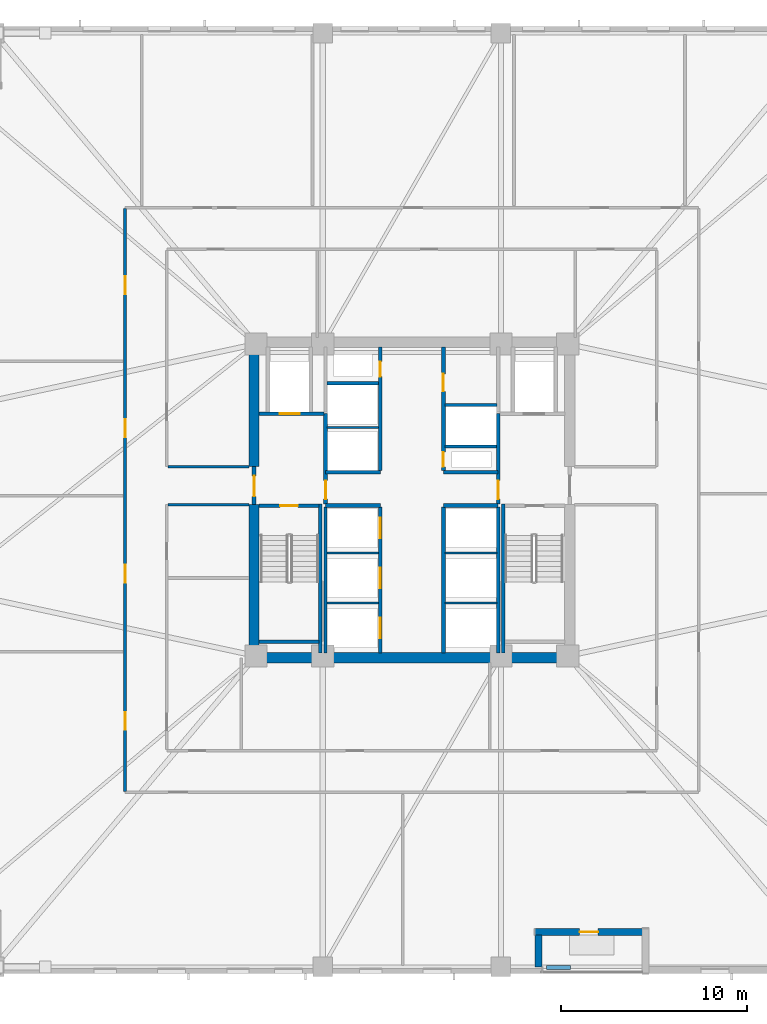
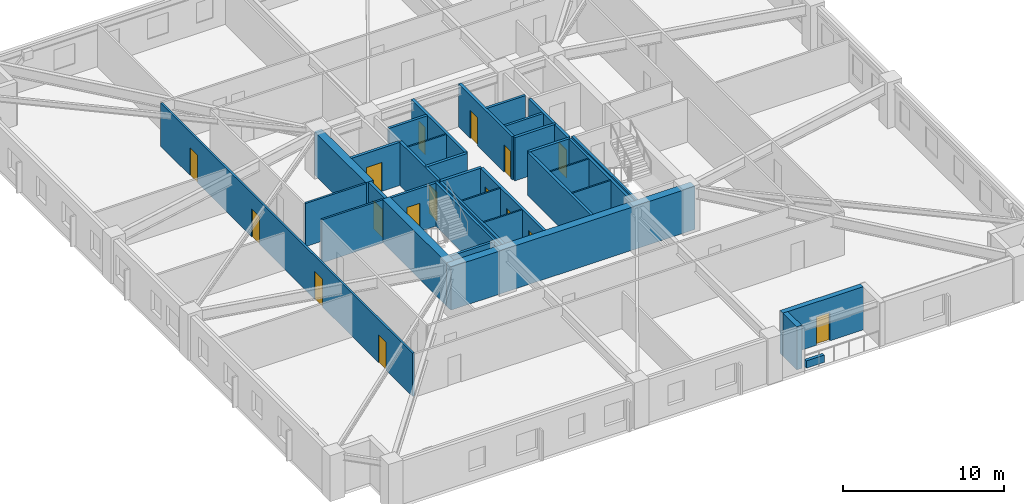
# One storey, part 3 of 11: 35 walls, 16 doors, 16 openings.
"""IFC4 building model written with IfcOpenShell, lengths in metres."""

import ifcopenshell
import ifcopenshell.guid

model = None  # the IFC model being written
_history = None  # IfcOwnerHistory: only IFC2X3 demands one
_inside = {}  # id of a spatial element -> (the spatial element, [elements in it])
_under = {}  # id of a project, library or spatial element -> (it, [spatial elements below it])
_declared = {}  # id of a project -> (the project, [libraries it declares])
_typed = {}  # id of a type object -> (the type object, [elements of that type])
_made_of = {}  # id of a material, layer set ... -> (it, [elements and type objects made of it])


def new_model(schema):
    """Start an empty IFC model of exactly this schema.

    Asked for "IFC4X3", IfcOpenShell would pick the latest addendum, in which some entities
    have other attributes; the version numbers below select the first issue.
    IFC2X3 requires an IfcOwnerHistory on every rooted entity: one is made here for all.
    """
    global model, _history
    if schema == "IFC4X3":
        model = ifcopenshell.file(schema_version=(4, 3, 0, 0))
    else:
        model = ifcopenshell.file(schema=schema)
    _inside.clear()
    _under.clear()
    _declared.clear()
    _typed.clear()
    _made_of.clear()
    _history = None
    if model.schema == "IFC2X3":
        org = make("IfcOrganization", Name="unknown")
        user = make(
            "IfcPersonAndOrganization",
            ThePerson=make("IfcPerson", FamilyName="unknown"),
            TheOrganization=org,
        )
        app = make(
            "IfcApplication",
            ApplicationDeveloper=org,
            Version="unknown",
            ApplicationFullName="unknown",
            ApplicationIdentifier="unknown",
        )
        _history = make(
            "IfcOwnerHistory",
            OwningUser=user,
            OwningApplication=app,
            ChangeAction="ADDED",
            CreationDate=0,
        )
    return model


def make(cls, **values):
    """One entity of the class cls with the attributes given. An attribute that is None is left unset."""
    return model.create_entity(
        cls, **{name: value for name, value in values.items() if value is not None}
    )


def rooted(cls, **values):
    """An entity with a GlobalId (a new one), such as an element, a storey or a relation."""
    return make(cls, GlobalId=ifcopenshell.guid.new(), OwnerHistory=_history, **values)


def si_unit(unit_type, name, prefix=None):
    """IfcSIUnit, for example si_unit("LENGTHUNIT", "METRE", prefix="MILLI")."""
    return make("IfcSIUnit", UnitType=unit_type, Prefix=prefix, Name=name)


def assignment(units):
    """IfcUnitAssignment: the units of a project."""
    return None if units is None else make("IfcUnitAssignment", Units=units)


def point(xyz):
    """IfcCartesianPoint."""
    return None if xyz is None else make("IfcCartesianPoint", Coordinates=xyz)


def direction(xyz):
    """IfcDirection."""
    return None if xyz is None else make("IfcDirection", DirectionRatios=xyz)


def frame(location, z_axis=None, x_axis=None):
    """IfcAxis2Placement3D, a coordinate frame: its origin and axes. An axis left out is left unset."""
    return make(
        "IfcAxis2Placement3D",
        Location=point(location),
        Axis=direction(z_axis),
        RefDirection=direction(x_axis),
    )


def frame_2d(location, x_axis=None):
    """IfcAxis2Placement2D, a coordinate frame in the plane: its origin and x axis."""
    return make(
        "IfcAxis2Placement2D", Location=point(location), RefDirection=direction(x_axis)
    )


def origin():
    """The frame at (0, 0, 0) with its axes left unset."""
    return frame((0.0, 0.0, 0.0))


def place(relative_to, where):
    """IfcLocalPlacement: puts the frame where relative to a parent placement (None: the world)."""
    return make(
        "IfcLocalPlacement", PlacementRelTo=relative_to, RelativePlacement=where
    )


def context(
    kind, dimensions, precision=None, world=None, true_north=None, identifier=None
):
    """IfcGeometricRepresentationContext, for example the 3D "Model" context."""
    return make(
        "IfcGeometricRepresentationContext",
        ContextIdentifier=identifier,
        ContextType=kind,
        CoordinateSpaceDimension=dimensions,
        Precision=precision,
        WorldCoordinateSystem=world,
        TrueNorth=true_north,
    )


def subcontext(parent, identifier, kind, view, scale=None):
    """IfcGeometricRepresentationSubContext, for example "Body" below "Model"."""
    return make(
        "IfcGeometricRepresentationSubContext",
        ContextIdentifier=identifier,
        ContextType=kind,
        ParentContext=parent,
        TargetScale=scale,
        TargetView=view,
    )


def project(units=None, contexts=None):
    """IfcProject with its units and contexts."""
    return rooted(
        "IfcProject",
        Name="project",
        RepresentationContexts=contexts,
        UnitsInContext=assignment(units),
    )


def spatial(cls, under=None, at=None, **own):
    """A site, building, storey or space (cls), placed at a placement, below another one or the project."""
    s = rooted(cls, ObjectPlacement=at, **own)
    if under is not None:
        _under.setdefault(under.id(), (under, []))[1].append(s)
    return s


def profile(cls, at=None, kind="AREA", **sizes):
    """A parametric profile (cls). Its sizes go by their IFC names, for example OverallWidth=200.0."""
    return make(cls, ProfileType=kind, Position=at, **sizes)


def rectangle(**sizes):
    """IfcRectangleProfileDef."""
    return profile("IfcRectangleProfileDef", **sizes)


def extrude(swept, where, along, depth):
    """IfcExtrudedAreaSolid: the profile swept, set in the frame where, extruded along a direction by depth."""
    return make(
        "IfcExtrudedAreaSolid",
        SweptArea=swept,
        Position=where,
        ExtrudedDirection=direction(along),
        Depth=depth,
    )


def shape(context_of_items, identifier, shape_type, items):
    """IfcShapeRepresentation: the items that make up one representation, for example the "Body"."""
    return make(
        "IfcShapeRepresentation",
        ContextOfItems=context_of_items,
        RepresentationIdentifier=identifier,
        RepresentationType=shape_type,
        Items=items,
    )


def material(Name=None, Category=None):
    """IfcMaterial."""
    return make("IfcMaterial", Name=Name, Category=Category)


def layer(
    of_material, thickness, ventilated=None, Name=None, Category=None, Priority=None
):
    """IfcMaterialLayer: one layer of a wall or slab, of a material (None: an air gap)."""
    return make(
        "IfcMaterialLayer",
        Material=of_material,
        LayerThickness=thickness,
        IsVentilated=ventilated,
        Name=Name,
        Category=Category,
        Priority=Priority,
    )


def layer_set(layers, Name=None):
    """IfcMaterialLayerSet."""
    return make("IfcMaterialLayerSet", MaterialLayers=layers, LayerSetName=Name)


def made_of(thing, what):
    """Note that an element or type object is made of a material, layer set ...; save() writes the relation."""
    if what is not None:
        _made_of.setdefault(what.id(), (what, []))[1].append(thing)
    return thing


def type_object(cls, material=None, **own):
    """A type object (cls), such as IfcWallType, which elements share."""
    return made_of(rooted(cls, **own), material)


def element(
    cls,
    number,
    at=None,
    inside=None,
    cuts=None,
    type_object=None,
    material=None,
    context=None,
    identifier="Body",
    shape_type=None,
    held_by="IfcProductDefinitionShape",
    body=None,
    shapes=None,
    **own,
):
    """One element of the class cls, such as IfcWall. Its Tag is "e" and its number.

    at: its placement. inside: the storey or other place that contains it. cuts: it is an
    opening in that element (IfcRelVoidsElement). A single representation is given by context,
    identifier, shape_type and body (its items); several are given by shapes. held_by: the class
    of the entity that holds the representations. save() writes the other relations.
    """
    e = rooted(cls, Tag="e%d" % number, ObjectPlacement=at, **own)
    if body is not None:
        shapes = [shape(context, identifier, shape_type, body)]
    if shapes is not None:
        e.Representation = make(held_by, Representations=shapes)
    if inside is not None:
        _inside.setdefault(inside.id(), (inside, []))[1].append(e)
    if cuts is not None:
        rooted(
            "IfcRelVoidsElement", RelatingBuildingElement=cuts, RelatedOpeningElement=e
        )
    if type_object is not None:
        _typed.setdefault(type_object.id(), (type_object, []))[1].append(e)
    return made_of(e, material)


def fill(opening, filler):
    """IfcRelFillsElement: the door or window that sits in an opening."""
    return rooted(
        "IfcRelFillsElement",
        RelatingOpeningElement=opening,
        RelatedBuildingElement=filler,
    )


def aggregate(whole, parts):
    """IfcRelAggregates: a whole, such as a stair, and the parts it consists of."""
    return rooted("IfcRelAggregates", RelatingObject=whole, RelatedObjects=parts)


def save(model, path):
    """Write the relations noted so far, then the file.

    IfcRelAggregates (storeys below a building ...), IfcRelContainedInSpatialStructure (elements
    in a storey), IfcRelDefinesByType, IfcRelAssociatesMaterial and IfcRelDeclares: one each for
    every whole, place, type object, material and project.
    """
    for whole, parts in _under.values():
        aggregate(whole, parts)
    for where, things in _inside.values():
        rooted(
            "IfcRelContainedInSpatialStructure",
            RelatedElements=things,
            RelatingStructure=where,
        )
    for kind, things in _typed.values():
        rooted("IfcRelDefinesByType", RelatedObjects=things, RelatingType=kind)
    for what, things in _made_of.values():
        rooted("IfcRelAssociatesMaterial", RelatedObjects=things, RelatingMaterial=what)
    for by, libraries in _declared.values():
        rooted("IfcRelDeclares", RelatingContext=by, RelatedDefinitions=libraries)
    model.write(path)


model = new_model("IFC4")

# Units and contexts
model_context = context("Model", 3, precision=1e-05, world=origin(), true_north=direction((0.0, 1.0)))
body_context = subcontext(model_context, "Body", "Model", "MODEL_VIEW")
ifc_project = project(units=[si_unit("LENGTHUNIT", "METRE"), si_unit("AREAUNIT", "SQUARE_METRE"), si_unit("VOLUMEUNIT", "CUBIC_METRE"), si_unit("PLANEANGLEUNIT", "RADIAN"), si_unit("MASSUNIT", "GRAM", prefix="KILO")], contexts=[model_context])

# Site, building, storey
site_placement = place(None, origin())
site = spatial("IfcSite", under=ifc_project, at=site_placement, CompositionType="ELEMENT")
building_placement = place(site_placement, origin())
building = spatial("IfcBuilding", under=site, at=building_placement, Name="Cairnveth Concourse Tower", CompositionType="ELEMENT")
storey_placement = place(building_placement, frame((0.0, 0.0, 51.5)))
storey = spatial("IfcBuildingStorey", under=building, at=storey_placement, Name="L13", CompositionType="ELEMENT", Elevation=51.5)

# Walls
ifc_material_1 = material(Name="Concrete N80 (80 MPa)", Category="concrete")
ifc_layer_1 = layer(ifc_material_1, 0.550048828125)
ifc_layer_set_1 = layer_set([ifc_layer_1], Name="Concrete N80 (80 MPa)")
wall_type_1 = type_object("IfcWallType", Name="CORE SHEAR WALL 550", PredefinedType="SHEAR", material=ifc_layer_set_1)
wall_1_placement = place(storey_placement, frame((43.22509765625, 30.5, 0.0), z_axis=(0.0, 0.0, 1.0), x_axis=(1.0, 0.0, 0.0)))
element("IfcWall", 1, at=wall_1_placement, inside=storey, type_object=wall_type_1, Name="Core South Shear Wall L13", PredefinedType="SHEAR", context=body_context, shape_type="SweptSolid", body=[
    extrude(rectangle(XDim=17.5498046875, YDim=0.550048828125, at=frame_2d((8.77490234375, 0.0))), origin(), (0.0, 0.0, 1.0), 3.280029296875),
])
wall_2_placement = place(storey_placement, frame((43.5, 30.764892578125, 0.0), z_axis=(0.0, 0.0, 1.0), x_axis=(0.0, 1.0, 0.0)))
element("IfcWall", 2, at=wall_2_placement, inside=storey, type_object=wall_type_1, Name="Core West Shear Wall S L13", PredefinedType="SHEAR", context=body_context, shape_type="SweptSolid", body=[
    extrude(rectangle(XDim=7.985107421875, YDim=0.550048828125, at=frame_2d((3.99267578125, 0.0))), origin(), (0.0, 0.0, 1.0), 3.280029296875),
])
wall_3_placement = place(storey_placement, frame((43.5, 40.800048828125, 0.0), z_axis=(0.0, 0.0, 1.0), x_axis=(0.0, 1.0, 0.0)))
element("IfcWall", 3, at=wall_3_placement, inside=storey, type_object=wall_type_1, Name="Core West Shear Wall N L13", PredefinedType="SHEAR", context=body_context, shape_type="SweptSolid", body=[
    extrude(rectangle(XDim=6.43505859375, YDim=0.550048828125, at=frame_2d((3.217529296875, 0.0))), origin(), (0.0, 0.0, 1.0), 3.280029296875),
])
ifc_material_2 = material(Name="Concrete N50 (50 MPa)", Category="concrete")
ifc_layer_2 = layer(ifc_material_2, 0.179931640625)
ifc_layer_set_2 = layer_set([ifc_layer_2], Name="Concrete N50 (50 MPa)")
wall_type_2 = type_object("IfcWallType", Name="FIRE SHAFT WALL 180", PredefinedType="SOLIDWALL", material=ifc_layer_set_2)
for number, where, z_axis, x_axis, name in (
    (4, (47.35009765625, 30.760009765625, 0.0), (0.0, 0.0, 1.0), (0.0, 1.0, 0.0), "Interior Wall IW-L13-025"),
    (5, (56.64990234375, 30.760009765625, 0.0), (0.0, 0.0, 1.0), (0.0, 1.0, 0.0), "Interior Wall IW-L13-028"),
):
    element("IfcWall", number, at=place(storey_placement, frame(where, z_axis=z_axis, x_axis=x_axis)), inside=storey, type_object=wall_type_2, Name=name, PredefinedType="SOLIDWALL", context=body_context, shape_type="SweptSolid", body=[
        extrude(rectangle(XDim=7.85498046875, YDim=0.179931640625, at=frame_2d((3.927490234375, 0.0))), origin(), (0.0, 0.0, 1.0), 3.280029296875),
    ])
wall_4_placement = place(storey_placement, frame((47.425048828125, 45.280029296875, 0.0), z_axis=(0.0, 0.0, 1.0), x_axis=(1.0, 0.0, 0.0)))
element("IfcWall", 6, at=wall_4_placement, inside=storey, type_object=wall_type_2, Name="Interior Wall IW-L13-033", PredefinedType="SOLIDWALL", context=body_context, shape_type="SweptSolid", body=[
    extrude(rectangle(XDim=2.7900390625, YDim=0.179931640625, at=frame_2d((1.39501953125, 0.0))), origin(), (0.0, 0.0, 1.0), 3.280029296875),
])
wall_5_placement = place(storey_placement, frame((53.784912109375, 41.8798828125, 0.0), z_axis=(0.0, 0.0, 1.0), x_axis=(1.0, 0.0, 0.0)))
element("IfcWall", 7, at=wall_5_placement, inside=storey, type_object=wall_type_2, Name="Interior Wall IW-L13-035", PredefinedType="SOLIDWALL", context=body_context, shape_type="SweptSolid", body=[
    extrude(rectangle(XDim=2.780029296875, YDim=0.179931640625, at=frame_2d((1.39013671875, 0.0))), origin(), (0.0, 0.0, 1.0), 3.280029296875),
])
wall_6_placement = place(storey_placement, frame((53.784912109375, 44.1201171875, 0.0), z_axis=(0.0, 0.0, 1.0), x_axis=(1.0, 0.0, 0.0)))
element("IfcWall", 8, at=wall_6_placement, inside=storey, type_object=wall_type_2, Name="Interior Wall IW-L13-036", PredefinedType="SOLIDWALL", context=body_context, shape_type="SweptSolid", body=[
    extrude(rectangle(XDim=2.7900390625, YDim=0.179931640625, at=frame_2d((1.39501953125, 0.0))), origin(), (0.0, 0.0, 1.0), 3.280029296875),
])

# Wall, opening, door
wall_7_placement = place(storey_placement, frame((43.764892578125, 38.68994140625, 0.0), z_axis=(0.0, 0.0, 1.0), x_axis=(1.0, 0.0, 0.0)))
wall_7 = element("IfcWall", 9, at=wall_7_placement, inside=storey, type_object=wall_type_2, Name="Stair ST-1 Shaft Wall NEAR L13", PredefinedType="SOLIDWALL", context=body_context, shape_type="SweptSolid", body=[
    extrude(rectangle(XDim=3.230224609375, YDim=0.179931640625, at=frame_2d((1.615234375, 0.0))), origin(), (0.0, 0.0, 1.0), 3.280029296875),
])
opening_1_placement = place(wall_7_placement, frame((1.139892578125, 0.0, 0.0)))
opening_1 = element("IfcOpeningElement", 10, at=opening_1_placement, cuts=wall_7, Name="Opening ID12", PredefinedType="OPENING", context=body_context, shape_type="SweptSolid", body=[
    extrude(rectangle(XDim=0.949951171875, YDim=2.14990234375, at=frame_2d((0.47509765625, 1.074951171875))), frame((0.0, 0.099853515625, 0.0), z_axis=(0.0, -1.0, 0.0), x_axis=(1.0, 0.0, 0.0)), (0.0, 0.0, 1.0), 0.199951171875),
])
ifc_material_3 = material(Name="Steel Grade 350", Category="steel")
door_type_1 = type_object("IfcDoorType", Name="FIRE STAIR DOOR 950X2150", OperationType="NOTDEFINED", PredefinedType="DOOR", material=ifc_material_3)
door_1_placement = place(opening_1_placement, origin())
door_1 = element("IfcDoor", 11, at=door_1_placement, inside=storey, type_object=door_type_1, Name="Stair ST-1 Fire Door L13", OperationType="SINGLE_SWING_LEFT", OverallHeight=2.14990234375, OverallWidth=0.949951171875, PredefinedType="DOOR", context=body_context, shape_type="SweptSolid", body=[
    extrude(rectangle(XDim=0.949951171875, YDim=2.14990234375, at=frame_2d((0.47509765625, 1.074951171875))), frame((0.0, 0.02490234375, 0.0), z_axis=(0.0, -1.0, 0.0), x_axis=(1.0, 0.0, 0.0)), (0.0, 0.0, 1.0), 0.050048828125),
])
fill(opening_1, door_1)

# Walls
wall_8_placement = place(storey_placement, frame((43.764892578125, 31.360107421875, 0.0), z_axis=(0.0, 0.0, 1.0), x_axis=(1.0, 0.0, 0.0)))
element("IfcWall", 12, at=wall_8_placement, inside=storey, type_object=wall_type_2, Name="Stair ST-1 Shaft Wall FAR L13", PredefinedType="SOLIDWALL", context=body_context, shape_type="SweptSolid", body=[
    extrude(rectangle(XDim=3.230224609375, YDim=0.179931640625, at=frame_2d((1.615234375, 0.0))), origin(), (0.0, 0.0, 1.0), 3.280029296875),
])
for number, where, z_axis, x_axis, name in (
    (13, (47.070068359375, 38.780029296875, 0.0), (0.0, 0.0, 1.0), (0.0, -1.0, 0.0), "Stair ST-1 Shaft Wall RGHT L13"),
    (14, (56.929931640625, 38.780029296875, 0.0), (0.0, 0.0, 1.0), (0.0, -1.0, 0.0), "Stair ST-2 Shaft Wall LEFT L13"),
):
    element("IfcWall", number, at=place(storey_placement, frame(where, z_axis=z_axis, x_axis=x_axis)), inside=storey, type_object=wall_type_2, Name=name, PredefinedType="SOLIDWALL", context=body_context, shape_type="SweptSolid", body=[
        extrude(rectangle(XDim=8.01708984375, YDim=0.179931640625, at=frame_2d((4.008544921875, 0.0))), origin(), (0.0, 0.0, 1.0), 3.280029296875),
    ])
ifc_layer_3 = layer(ifc_material_2, 0.199951171875)
ifc_layer_set_3 = layer_set([ifc_layer_3], Name="Concrete N50 (50 MPa)")
wall_type_3 = type_object("IfcWallType", Name="FIRE SHAFT WALL 200", PredefinedType="SOLIDWALL", material=ifc_layer_set_3)
for number, where, z_axis, x_axis, name in (
    (15, (47.35009765625, 38.699951171875, 0.0), (0.0, 0.0, 1.0), (1.0, 0.0, 0.0), "Interior Wall IW-L13-007"),
    (16, (47.35009765625, 40.5, 0.0), (0.0, 0.0, 1.0), (1.0, 0.0, 0.0), "Interior Wall IW-L13-008"),
    (17, (53.699951171875, 38.699951171875, 0.0), (0.0, 0.0, 1.0), (1.0, 0.0, 0.0), "Interior Wall IW-L13-009"),
    (18, (53.699951171875, 40.5, 0.0), (0.0, 0.0, 1.0), (1.0, 0.0, 0.0), "Interior Wall IW-L13-010"),
):
    element("IfcWall", number, at=place(storey_placement, frame(where, z_axis=z_axis, x_axis=x_axis)), inside=storey, type_object=wall_type_3, Name=name, PredefinedType="SOLIDWALL", context=body_context, shape_type="SweptSolid", body=[
        extrude(rectangle(XDim=2.949951171875, YDim=0.199951171875, at=frame_2d((1.47509765625, 0.0))), origin(), (0.0, 0.0, 1.0), 3.280029296875),
    ])

# Wall, openings, doors
wall_9_placement = place(storey_placement, frame((50.300048828125, 30.760009765625, 0.0), z_axis=(0.0, 0.0, 1.0), x_axis=(0.0, 1.0, 0.0)))
wall_9 = element("IfcWall", 19, at=wall_9_placement, inside=storey, type_object=wall_type_3, Name="Interior Wall IW-L13-011", PredefinedType="SOLIDWALL", context=body_context, shape_type="SweptSolid", body=[
    extrude(rectangle(XDim=7.85498046875, YDim=0.199951171875, at=frame_2d((3.927490234375, 0.0))), origin(), (0.0, 0.0, 1.0), 3.280029296875),
])
opening_2_placement = place(wall_9_placement, frame((0.7900390625, 0.0, 0.0)))
opening_2 = element("IfcOpeningElement", 20, at=opening_2_placement, cuts=wall_9, Name="Opening LD-1", PredefinedType="OPENING", context=body_context, shape_type="SweptSolid", body=[
    extrude(rectangle(XDim=1.10009765625, YDim=2.199951171875, at=frame_2d((0.550048828125, 1.10009765625))), frame((0.0, 0.10986328125, 0.0), z_axis=(0.0, -1.0, 0.0), x_axis=(1.0, 0.0, 0.0)), (0.0, 0.0, 1.0), 0.219970703125),
])
opening_3_placement = place(wall_9_placement, frame((3.489990234375, 0.0, 0.0)))
opening_3 = element("IfcOpeningElement", 21, at=opening_3_placement, cuts=wall_9, Name="Opening LD-1", PredefinedType="OPENING", context=body_context, shape_type="SweptSolid", body=[
    extrude(rectangle(XDim=1.10009765625, YDim=2.199951171875, at=frame_2d((0.550048828125, 1.10009765625))), frame((0.0, 0.10986328125, 0.0), z_axis=(0.0, -1.0, 0.0), x_axis=(1.0, 0.0, 0.0)), (0.0, 0.0, 1.0), 0.219970703125),
])
opening_4_placement = place(wall_9_placement, frame((6.18994140625, 0.0, 0.0)))
opening_4 = element("IfcOpeningElement", 22, at=opening_4_placement, cuts=wall_9, Name="Opening LD-1", PredefinedType="OPENING", context=body_context, shape_type="SweptSolid", body=[
    extrude(rectangle(XDim=1.10009765625, YDim=2.199951171875, at=frame_2d((0.550048828125, 1.10009765625))), frame((0.0, 0.10986328125, 0.0), z_axis=(0.0, -1.0, 0.0), x_axis=(1.0, 0.0, 0.0)), (0.0, 0.0, 1.0), 0.219970703125),
])
ifc_material_4 = material(Name="Architectural Bronze Anodised Aluminium 6063-T6", Category="aluminium")
door_type_2 = type_object("IfcDoorType", Name="LIFT LANDING DOOR 1100X2200", OperationType="SLIDING_TO_LEFT", PredefinedType="DOOR", material=ifc_material_4)
door_2_placement = place(opening_2_placement, origin())
door_2 = element("IfcDoor", 23, at=door_2_placement, inside=storey, type_object=door_type_2, Name="Lift PL1 Landing Door L13", OperationType="SLIDING_TO_LEFT", OverallHeight=2.199951171875, OverallWidth=1.10009765625, PredefinedType="DOOR", context=body_context, shape_type="SweptSolid", body=[
    extrude(rectangle(XDim=1.10009765625, YDim=2.199951171875, at=frame_2d((0.550048828125, 1.10009765625))), frame((0.0, 0.02490234375, 0.0), z_axis=(0.0, -1.0, 0.0), x_axis=(1.0, 0.0, 0.0)), (0.0, 0.0, 1.0), 0.050048828125),
])
fill(opening_2, door_2)
door_3_placement = place(opening_3_placement, origin())
door_3 = element("IfcDoor", 24, at=door_3_placement, inside=storey, type_object=door_type_2, Name="Lift PL2 Landing Door L13", OperationType="SLIDING_TO_LEFT", OverallHeight=2.199951171875, OverallWidth=1.10009765625, PredefinedType="DOOR", context=body_context, shape_type="SweptSolid", body=[
    extrude(rectangle(XDim=1.10009765625, YDim=2.199951171875, at=frame_2d((0.550048828125, 1.10009765625))), frame((0.0, 0.02490234375, 0.0), z_axis=(0.0, -1.0, 0.0), x_axis=(1.0, 0.0, 0.0)), (0.0, 0.0, 1.0), 0.050048828125),
])
fill(opening_3, door_3)
door_4_placement = place(opening_4_placement, origin())
door_4 = element("IfcDoor", 25, at=door_4_placement, inside=storey, type_object=door_type_2, Name="Lift PL3 Landing Door L13", OperationType="SLIDING_TO_LEFT", OverallHeight=2.199951171875, OverallWidth=1.10009765625, PredefinedType="DOOR", context=body_context, shape_type="SweptSolid", body=[
    extrude(rectangle(XDim=1.10009765625, YDim=2.199951171875, at=frame_2d((0.550048828125, 1.10009765625))), frame((0.0, 0.02490234375, 0.0), z_axis=(0.0, -1.0, 0.0), x_axis=(1.0, 0.0, 0.0)), (0.0, 0.0, 1.0), 0.050048828125),
])
fill(opening_4, door_4)

# Wall
wall_10_placement = place(storey_placement, frame((53.699951171875, 30.760009765625, 0.0), z_axis=(0.0, 0.0, 1.0), x_axis=(0.0, 1.0, 0.0)))
element("IfcWall", 26, at=wall_10_placement, inside=storey, type_object=wall_type_3, Name="Interior Wall IW-L13-012", PredefinedType="SOLIDWALL", context=body_context, shape_type="SweptSolid", body=[
    extrude(rectangle(XDim=7.85498046875, YDim=0.199951171875, at=frame_2d((3.927490234375, 0.0))), origin(), (0.0, 0.0, 1.0), 3.280029296875),
])

# Wall, opening, door
wall_11_placement = place(storey_placement, frame((50.300048828125, 40.5849609375, 0.0), z_axis=(0.0, 0.0, 1.0), x_axis=(0.0, 1.0, 0.0)))
wall_11 = element("IfcWall", 27, at=wall_11_placement, inside=storey, type_object=wall_type_3, Name="Interior Wall IW-L13-013", PredefinedType="SOLIDWALL", context=body_context, shape_type="SweptSolid", body=[
    extrude(rectangle(XDim=6.655029296875, YDim=0.199951171875, at=frame_2d((3.32763671875, 0.0))), origin(), (0.0, 0.0, 1.0), 3.280029296875),
])
opening_5_placement = place(wall_11_placement, frame((5.06494140625, 0.0, 0.0)))
opening_5 = element("IfcOpeningElement", 28, at=opening_5_placement, cuts=wall_11, Name="Opening ID24", PredefinedType="OPENING", context=body_context, shape_type="SweptSolid", body=[
    extrude(rectangle(XDim=0.800048828125, YDim=2.080078125, at=frame_2d((0.39990234375, 1.0400390625))), frame((0.0, 0.10986328125, 0.0), z_axis=(0.0, -1.0, 0.0), x_axis=(1.0, 0.0, 0.0)), (0.0, 0.0, 1.0), 0.219970703125),
])
door_type_3 = type_object("IfcDoorType", Name="RISER ACCESS DOOR 800X2100", OperationType="NOTDEFINED", PredefinedType="DOOR", material=ifc_material_3)
door_5_placement = place(opening_5_placement, origin())
door_5 = element("IfcDoor", 29, at=door_5_placement, inside=storey, type_object=door_type_3, Name="NW Electrical Riser Access Door L13", OperationType="SINGLE_SWING_RIGHT", OverallHeight=2.080078125, OverallWidth=0.800048828125, PredefinedType="DOOR", context=body_context, shape_type="SweptSolid", body=[
    extrude(rectangle(XDim=0.800048828125, YDim=2.080078125, at=frame_2d((0.39990234375, 1.0400390625))), frame((0.0, 0.02490234375, 0.0), z_axis=(0.0, -1.0, 0.0), x_axis=(1.0, 0.0, 0.0)), (0.0, 0.0, 1.0), 0.050048828125),
])
fill(opening_5, door_5)

# Wall, openings, doors
wall_12_placement = place(storey_placement, frame((53.699951171875, 40.5849609375, 0.0), z_axis=(0.0, 0.0, 1.0), x_axis=(0.0, 1.0, 0.0)))
wall_12 = element("IfcWall", 30, at=wall_12_placement, inside=storey, type_object=wall_type_3, Name="Interior Wall IW-L13-014", PredefinedType="SOLIDWALL", context=body_context, shape_type="SweptSolid", body=[
    extrude(rectangle(XDim=6.655029296875, YDim=0.199951171875, at=frame_2d((3.32763671875, 0.0))), origin(), (0.0, 0.0, 1.0), 3.280029296875),
])
opening_6_placement = place(wall_12_placement, frame((0.195068359375, 0.0, 0.0)))
opening_6 = element("IfcOpeningElement", 31, at=opening_6_placement, cuts=wall_12, Name="Opening ID24", PredefinedType="OPENING", context=body_context, shape_type="SweptSolid", body=[
    extrude(rectangle(XDim=0.800048828125, YDim=2.080078125, at=frame_2d((0.39990234375, 1.0400390625))), frame((0.0, 0.10986328125, 0.0), z_axis=(0.0, -1.0, 0.0), x_axis=(1.0, 0.0, 0.0)), (0.0, 0.0, 1.0), 0.219970703125),
])
opening_7_placement = place(wall_12_placement, frame((4.264892578125, 0.0, 0.0)))
opening_7 = element("IfcOpeningElement", 32, at=opening_7_placement, cuts=wall_12, Name="Opening ID25", PredefinedType="OPENING", context=body_context, shape_type="SweptSolid", body=[
    extrude(rectangle(XDim=0.949951171875, YDim=2.1201171875, at=frame_2d((0.47509765625, 1.06005859375))), frame((0.0, 0.10986328125, 0.0), z_axis=(0.0, -1.0, 0.0), x_axis=(1.0, 0.0, 0.0)), (0.0, 0.0, 1.0), 0.219970703125),
])
door_type_4 = type_object("IfcDoorType", Name="CORE ACCESSIBLE FIRE DOOR 950X2120", OperationType="NOTDEFINED", PredefinedType="DOOR", material=ifc_material_3)
door_6_placement = place(opening_7_placement, origin())
door_6 = element("IfcDoor", 33, at=door_6_placement, inside=storey, type_object=door_type_4, Name="Core NE Accessible WC Door L13", OperationType="SINGLE_SWING_RIGHT", OverallHeight=2.1201171875, OverallWidth=0.949951171875, PredefinedType="DOOR", context=body_context, shape_type="SweptSolid", body=[
    extrude(rectangle(XDim=0.949951171875, YDim=2.1201171875, at=frame_2d((0.47509765625, 1.06005859375))), frame((0.0, 0.02490234375, 0.0), z_axis=(0.0, -1.0, 0.0), x_axis=(1.0, 0.0, 0.0)), (0.0, 0.0, 1.0), 0.050048828125),
])
fill(opening_7, door_6)
door_7_placement = place(opening_6_placement, origin())
door_7 = element("IfcDoor", 34, at=door_7_placement, inside=storey, type_object=door_type_3, Name="Hydraulic Riser Door L13", OperationType="SINGLE_SWING_LEFT", OverallHeight=2.080078125, OverallWidth=0.800048828125, PredefinedType="DOOR", context=body_context, shape_type="SweptSolid", body=[
    extrude(rectangle(XDim=0.800048828125, YDim=2.080078125, at=frame_2d((0.39990234375, 1.0400390625))), frame((0.0, 0.02490234375, 0.0), z_axis=(0.0, -1.0, 0.0), x_axis=(1.0, 0.0, 0.0)), (0.0, 0.0, 1.0), 0.050048828125),
])
fill(opening_6, door_7)

# Wall, opening, door
wall_13_placement = place(storey_placement, frame((43.5, 38.75, 0.0), z_axis=(0.0, 0.0, 1.0), x_axis=(0.0, 1.0, 0.0)))
wall_13 = element("IfcWall", 35, at=wall_13_placement, inside=storey, type_object=wall_type_3, Name="Interior Wall IW-L13-015", PredefinedType="SOLIDWALL", context=body_context, shape_type="SweptSolid", body=[
    extrude(rectangle(XDim=2.050048828125, YDim=0.199951171875, at=frame_2d((1.02490234375, 0.0))), origin(), (0.0, 0.0, 1.0), 3.280029296875),
])
opening_8_placement = place(wall_13_placement, frame((0.449951171875, 0.0, 0.0)))
opening_8 = element("IfcOpeningElement", 36, at=opening_8_placement, cuts=wall_13, Name="Opening ID06", PredefinedType="OPENING", context=body_context, shape_type="SweptSolid", body=[
    extrude(rectangle(XDim=1.10009765625, YDim=2.14990234375, at=frame_2d((0.550048828125, 1.074951171875))), frame((0.0, 0.10986328125, 0.0), z_axis=(0.0, -1.0, 0.0), x_axis=(1.0, 0.0, 0.0)), (0.0, 0.0, 1.0), 0.219970703125),
])
door_type_5 = type_object("IfcDoorType", Name="FIRE CORRIDOR DOOR 1100X2150", OperationType="NOTDEFINED", PredefinedType="DOOR", material=ifc_material_3)
door_8_placement = place(opening_8_placement, origin())
door_8 = element("IfcDoor", 37, at=door_8_placement, inside=storey, type_object=door_type_5, Name="West Wing to FF Lobby Door L13", OperationType="SINGLE_SWING_LEFT", OverallHeight=2.14990234375, OverallWidth=1.10009765625, PredefinedType="DOOR", context=body_context, shape_type="SweptSolid", body=[
    extrude(rectangle(XDim=1.10009765625, YDim=2.14990234375, at=frame_2d((0.550048828125, 1.074951171875))), frame((0.0, 0.02490234375, 0.0), z_axis=(0.0, -1.0, 0.0), x_axis=(1.0, 0.0, 0.0)), (0.0, 0.0, 1.0), 0.050048828125),
])
fill(opening_8, door_8)

wall_14_placement = place(storey_placement, frame((47.35009765625, 38.784912109375, 0.0), z_axis=(0.0, 0.0, 1.0), x_axis=(0.0, 1.0, 0.0)))
wall_14 = element("IfcWall", 38, at=wall_14_placement, inside=storey, type_object=wall_type_3, Name="Interior Wall IW-L13-016", PredefinedType="SOLIDWALL", context=body_context, shape_type="SweptSolid", body=[
    extrude(rectangle(XDim=4.864990234375, YDim=0.199951171875, at=frame_2d((2.4326171875, 0.0))), origin(), (0.0, 0.0, 1.0), 3.280029296875),
])
opening_9_placement = place(wall_14_placement, frame((0.264892578125, 0.0, 0.0)))
opening_9 = element("IfcOpeningElement", 39, at=opening_9_placement, cuts=wall_14, Name="Opening ID07", PredefinedType="OPENING", context=body_context, shape_type="SweptSolid", body=[
    extrude(rectangle(XDim=1.0, YDim=2.14990234375, at=frame_2d((0.5, 1.074951171875))), frame((0.0, 0.10986328125, 0.0), z_axis=(0.0, -1.0, 0.0), x_axis=(1.0, 0.0, 0.0)), (0.0, 0.0, 1.0), 0.219970703125),
])
door_type_6 = type_object("IfcDoorType", Name="FIRE CORRIDOR DOOR 1000X2150", OperationType="NOTDEFINED", PredefinedType="DOOR", material=ifc_material_3)
door_9_placement = place(opening_9_placement, origin())
door_9 = element("IfcDoor", 40, at=door_9_placement, inside=storey, type_object=door_type_6, Name="FF Lobby West to Lift Lobby Door L13", OperationType="SINGLE_SWING_RIGHT", OverallHeight=2.14990234375, OverallWidth=1.0, PredefinedType="DOOR", context=body_context, shape_type="SweptSolid", body=[
    extrude(rectangle(XDim=1.0, YDim=2.14990234375, at=frame_2d((0.5, 1.074951171875))), frame((0.0, 0.02490234375, 0.0), z_axis=(0.0, -1.0, 0.0), x_axis=(1.0, 0.0, 0.0)), (0.0, 0.0, 1.0), 0.050048828125),
])
fill(opening_9, door_9)

wall_15_placement = place(storey_placement, frame((43.760009765625, 43.64990234375, 0.0), z_axis=(0.0, 0.0, 1.0), x_axis=(1.0, 0.0, 0.0)))
wall_15 = element("IfcWall", 41, at=wall_15_placement, inside=storey, type_object=wall_type_3, Name="Interior Wall IW-L13-017", PredefinedType="SOLIDWALL", context=body_context, shape_type="SweptSolid", body=[
    extrude(rectangle(XDim=3.5048828125, YDim=0.199951171875, at=frame_2d((1.75244140625, 0.0))), origin(), (0.0, 0.0, 1.0), 3.280029296875),
])
opening_10_placement = place(wall_15_placement, frame((1.110107421875, 0.0, 0.0)))
opening_10 = element("IfcOpeningElement", 42, at=opening_10_placement, cuts=wall_15, Name="Opening LD-1", PredefinedType="OPENING", context=body_context, shape_type="SweptSolid", body=[
    extrude(rectangle(XDim=1.10009765625, YDim=2.199951171875, at=frame_2d((0.550048828125, 1.10009765625))), frame((0.0, 0.10986328125, 0.0), z_axis=(0.0, -1.0, 0.0), x_axis=(1.0, 0.0, 0.0)), (0.0, 0.0, 1.0), 0.219970703125),
])
door_10_placement = place(opening_10_placement, origin())
door_10 = element("IfcDoor", 43, at=door_10_placement, inside=storey, type_object=door_type_2, Name="Lift FFL1 Landing Door L13", OperationType="SLIDING_TO_LEFT", OverallHeight=2.199951171875, OverallWidth=1.10009765625, PredefinedType="DOOR", context=body_context, shape_type="SweptSolid", body=[
    extrude(rectangle(XDim=1.10009765625, YDim=2.199951171875, at=frame_2d((0.550048828125, 1.10009765625))), frame((0.0, 0.02490234375, 0.0), z_axis=(0.0, -1.0, 0.0), x_axis=(1.0, 0.0, 0.0)), (0.0, 0.0, 1.0), 0.050048828125),
])
fill(opening_10, door_10)

wall_16_placement = place(storey_placement, frame((56.64990234375, 38.784912109375, 0.0), z_axis=(0.0, 0.0, 1.0), x_axis=(0.0, 1.0, 0.0)))
wall_16 = element("IfcWall", 44, at=wall_16_placement, inside=storey, type_object=wall_type_3, Name="Interior Wall IW-L13-021", PredefinedType="SOLIDWALL", context=body_context, shape_type="SweptSolid", body=[
    extrude(rectangle(XDim=4.864990234375, YDim=0.199951171875, at=frame_2d((2.4326171875, 0.0))), origin(), (0.0, 0.0, 1.0), 3.280029296875),
])
opening_11_placement = place(wall_16_placement, frame((0.264892578125, 0.0, 0.0)))
opening_11 = element("IfcOpeningElement", 45, at=opening_11_placement, cuts=wall_16, Name="Opening ID07", PredefinedType="OPENING", context=body_context, shape_type="SweptSolid", body=[
    extrude(rectangle(XDim=1.0, YDim=2.14990234375, at=frame_2d((0.5, 1.074951171875))), frame((0.0, 0.10986328125, 0.0), z_axis=(0.0, -1.0, 0.0), x_axis=(1.0, 0.0, 0.0)), (0.0, 0.0, 1.0), 0.219970703125),
])
door_11_placement = place(opening_11_placement, origin())
door_11 = element("IfcDoor", 46, at=door_11_placement, inside=storey, type_object=door_type_6, Name="FF Lobby East to Lift Lobby Door L13", OperationType="SINGLE_SWING_LEFT", OverallHeight=2.14990234375, OverallWidth=1.0, PredefinedType="DOOR", context=body_context, shape_type="SweptSolid", body=[
    extrude(rectangle(XDim=1.0, YDim=2.14990234375, at=frame_2d((0.5, 1.074951171875))), frame((0.0, 0.02490234375, 0.0), z_axis=(0.0, -1.0, 0.0), x_axis=(1.0, 0.0, 0.0)), (0.0, 0.0, 1.0), 0.050048828125),
])
fill(opening_11, door_11)

# Wall, openings, doors
ifc_material_5 = material(Name="Gypsum Plasterboard Partition", Category="gypsum")
ifc_layer_4 = layer(ifc_material_5, 0.139892578125)
ifc_layer_set_4 = layer_set([ifc_layer_4], Name="Gypsum Plasterboard Partition")
wall_type_4 = type_object("IfcWallType", Name="GYPSUM STUD PARTITION 140", PredefinedType="PARTITIONING", material=ifc_layer_set_4)
wall_17_placement = place(storey_placement, frame((36.550048828125, 23.304931640625, 0.0), z_axis=(0.0, 0.0, 1.0), x_axis=(0.0, 1.0, 0.0)))
wall_17 = element("IfcWall", 47, at=wall_17_placement, inside=storey, type_object=wall_type_4, Name="Interior Wall IW-L13-039", PredefinedType="PARTITIONING", context=body_context, shape_type="SweptSolid", body=[
    extrude(rectangle(XDim=31.39013671875, YDim=0.139892578125, at=frame_2d((15.695068359375, 0.0))), origin(), (0.0, 0.0, 1.0), 3.280029296875),
])
opening_12_placement = place(wall_17_placement, frame((3.306884765625, 0.0, 0.0)))
opening_12 = element("IfcOpeningElement", 48, at=opening_12_placement, cuts=wall_17, Name="Opening ID11", PredefinedType="OPENING", context=body_context, shape_type="SweptSolid", body=[
    extrude(rectangle(XDim=0.9599609375, YDim=2.1201171875, at=frame_2d((0.47998046875, 1.06005859375))), frame((0.0, 0.079833984375, 0.0), z_axis=(0.0, -1.0, 0.0), x_axis=(1.0, 0.0, 0.0)), (0.0, 0.0, 1.0), 0.159912109375),
])
opening_13_placement = place(wall_17_placement, frame((11.25, 0.0, 0.0)))
opening_13 = element("IfcOpeningElement", 49, at=opening_13_placement, cuts=wall_17, Name="Opening ID11", PredefinedType="OPENING", context=body_context, shape_type="SweptSolid", body=[
    extrude(rectangle(XDim=0.9599609375, YDim=2.1201171875, at=frame_2d((0.47998046875, 1.06005859375))), frame((0.0, 0.079833984375, 0.0), z_axis=(0.0, -1.0, 0.0), x_axis=(1.0, 0.0, 0.0)), (0.0, 0.0, 1.0), 0.159912109375),
])
opening_14_placement = place(wall_17_placement, frame((19.074951171875, 0.0, 0.0)))
opening_14 = element("IfcOpeningElement", 50, at=opening_14_placement, cuts=wall_17, Name="Opening ID11", PredefinedType="OPENING", context=body_context, shape_type="SweptSolid", body=[
    extrude(rectangle(XDim=0.9599609375, YDim=2.1201171875, at=frame_2d((0.47998046875, 1.06005859375))), frame((0.0, 0.079833984375, 0.0), z_axis=(0.0, -1.0, 0.0), x_axis=(1.0, 0.0, 0.0)), (0.0, 0.0, 1.0), 0.159912109375),
])
opening_15_placement = place(wall_17_placement, frame((26.781982421875, 0.0, 0.0)))
opening_15 = element("IfcOpeningElement", 51, at=opening_15_placement, cuts=wall_17, Name="Opening ID11", PredefinedType="OPENING", context=body_context, shape_type="SweptSolid", body=[
    extrude(rectangle(XDim=0.9599609375, YDim=2.1201171875, at=frame_2d((0.47998046875, 1.06005859375))), frame((0.0, 0.079833984375, 0.0), z_axis=(0.0, -1.0, 0.0), x_axis=(1.0, 0.0, 0.0)), (0.0, 0.0, 1.0), 0.159912109375),
])
ifc_material_6 = material(Name="Solid Core Hardwood Timber Leaf", Category="wood")
door_type_7 = type_object("IfcDoorType", Name="INTERIOR SINGLE DOOR 960X2150", OperationType="NOTDEFINED", PredefinedType="DOOR", material=ifc_material_6)
door_12_placement = place(opening_12_placement, origin())
door_12 = element("IfcDoor", 52, at=door_12_placement, inside=storey, type_object=door_type_7, Name="Office Door L13-W1", OperationType="SINGLE_SWING_LEFT", OverallHeight=2.1201171875, OverallWidth=0.9599609375, PredefinedType="DOOR", context=body_context, shape_type="SweptSolid", body=[
    extrude(rectangle(XDim=0.9599609375, YDim=2.1201171875, at=frame_2d((0.47998046875, 1.06005859375))), frame((0.0, 0.02490234375, 0.0), z_axis=(0.0, -1.0, 0.0), x_axis=(1.0, 0.0, 0.0)), (0.0, 0.0, 1.0), 0.050048828125),
])
fill(opening_12, door_12)
door_13_placement = place(opening_13_placement, origin())
door_13 = element("IfcDoor", 53, at=door_13_placement, inside=storey, type_object=door_type_7, Name="Office Door L13-W2", OperationType="SINGLE_SWING_RIGHT", OverallHeight=2.1201171875, OverallWidth=0.9599609375, PredefinedType="DOOR", context=body_context, shape_type="SweptSolid", body=[
    extrude(rectangle(XDim=0.9599609375, YDim=2.1201171875, at=frame_2d((0.47998046875, 1.06005859375))), frame((0.0, 0.02490234375, 0.0), z_axis=(0.0, -1.0, 0.0), x_axis=(1.0, 0.0, 0.0)), (0.0, 0.0, 1.0), 0.050048828125),
])
fill(opening_13, door_13)
door_14_placement = place(opening_14_placement, origin())
door_14 = element("IfcDoor", 54, at=door_14_placement, inside=storey, type_object=door_type_7, Name="Office Door L13-W3", OperationType="SINGLE_SWING_LEFT", OverallHeight=2.1201171875, OverallWidth=0.9599609375, PredefinedType="DOOR", context=body_context, shape_type="SweptSolid", body=[
    extrude(rectangle(XDim=0.9599609375, YDim=2.1201171875, at=frame_2d((0.47998046875, 1.06005859375))), frame((0.0, 0.02490234375, 0.0), z_axis=(0.0, -1.0, 0.0), x_axis=(1.0, 0.0, 0.0)), (0.0, 0.0, 1.0), 0.050048828125),
])
fill(opening_14, door_14)
door_15_placement = place(opening_15_placement, origin())
door_15 = element("IfcDoor", 55, at=door_15_placement, inside=storey, type_object=door_type_7, Name="Office Door L13-W4", OperationType="SINGLE_SWING_RIGHT", OverallHeight=2.1201171875, OverallWidth=0.9599609375, PredefinedType="DOOR", context=body_context, shape_type="SweptSolid", body=[
    extrude(rectangle(XDim=0.9599609375, YDim=2.1201171875, at=frame_2d((0.47998046875, 1.06005859375))), frame((0.0, 0.02490234375, 0.0), z_axis=(0.0, -1.0, 0.0), x_axis=(1.0, 0.0, 0.0)), (0.0, 0.0, 1.0), 0.050048828125),
])
fill(opening_15, door_15)

# Walls
for number, where, z_axis, x_axis, name in (
    (56, (38.85498046875, 38.75, 0.0), (0.0, 0.0, 1.0), (1.0, 0.0, 0.0), "Interior Wall IW-L13-045"),
    (57, (38.85498046875, 40.800048828125, 0.0), (0.0, 0.0, 1.0), (1.0, 0.0, 0.0), "Interior Wall IW-L13-046"),
):
    element("IfcWall", number, at=place(storey_placement, frame(where, z_axis=z_axis, x_axis=x_axis)), inside=storey, type_object=wall_type_4, Name=name, PredefinedType="PARTITIONING", context=body_context, shape_type="SweptSolid", body=[
        extrude(rectangle(XDim=4.385009765625, YDim=0.139892578125, at=frame_2d((2.1923828125, 0.0))), origin(), (0.0, 0.0, 1.0), 3.280029296875),
    ])
ifc_layer_5 = layer(ifc_material_5, 0.110107421875)
ifc_layer_set_5 = layer_set([ifc_layer_5], Name="Gypsum Plasterboard Partition")
wall_type_5 = type_object("IfcWallType", Name="SHAFT DIVIDER WALL 140", PredefinedType="PARTITIONING", material=ifc_layer_set_5)
for number, where, z_axis, x_axis, name in (
    (58, (47.425048828125, 33.449951171875, 0.0), (0.0, 0.0, 1.0), (1.0, 0.0, 0.0), "Interior Wall IW-L13-026"),
    (59, (47.425048828125, 36.14990234375, 0.0), (0.0, 0.0, 1.0), (1.0, 0.0, 0.0), "Interior Wall IW-L13-027"),
    (60, (53.784912109375, 33.449951171875, 0.0), (0.0, 0.0, 1.0), (1.0, 0.0, 0.0), "Interior Wall IW-L13-029"),
    (61, (53.784912109375, 36.14990234375, 0.0), (0.0, 0.0, 1.0), (1.0, 0.0, 0.0), "Interior Wall IW-L13-030"),
):
    element("IfcWall", number, at=place(storey_placement, frame(where, z_axis=z_axis, x_axis=x_axis)), inside=storey, type_object=wall_type_5, Name=name, PredefinedType="PARTITIONING", context=body_context, shape_type="SweptSolid", body=[
        extrude(rectangle(XDim=2.7900390625, YDim=0.110107421875, at=frame_2d((1.39501953125, 0.0))), origin(), (0.0, 0.0, 1.0), 3.280029296875),
    ])
wall_18_placement = place(storey_placement, frame((47.43505859375, 42.89990234375, 0.0), z_axis=(0.0, 0.0, 1.0), x_axis=(1.0, 0.0, 0.0)))
element("IfcWall", 62, at=wall_18_placement, inside=storey, type_object=wall_type_5, Name="Interior Wall IW-L13-032", PredefinedType="PARTITIONING", context=body_context, shape_type="SweptSolid", body=[
    extrude(rectangle(XDim=2.780029296875, YDim=0.110107421875, at=frame_2d((1.39013671875, 0.0))), origin(), (0.0, 0.0, 1.0), 3.280029296875),
])
ifc_material_7 = material(Name="Dressed Melbourne Bluestone Cladding", Category="masonry")
ifc_layer_6 = layer(ifc_material_7, 0.219970703125)
ifc_layer_set_6 = layer_set([ifc_layer_6], Name="Dressed Melbourne Bluestone Cladding")
wall_type_6 = type_object("IfcWallType", Name="TERRACE PLANTER CURB WALL 220", PredefinedType="PARAPET", material=ifc_layer_set_6)
wall_19_placement = place(storey_placement, frame((59.25, 13.820068359375, 0.0), z_axis=(0.0, 0.0, 1.0), x_axis=(1.0, 0.0, 0.0)))
element("IfcWall", 63, at=wall_19_placement, inside=storey, type_object=wall_type_6, Name="Exterior Wall PLNT-L13-TERR", PredefinedType="PARAPET", context=body_context, shape_type="SweptSolid", body=[
    extrude(rectangle(XDim=1.300048828125, YDim=0.219970703125, at=frame_2d((0.64990234375, 0.0))), origin(), (0.0, 0.0, 1.0), 0.550048828125),
])

# Wall, opening, door
ifc_material_8 = material(Name="Hawthorn Red-Ochre Fired Clay Brick Masonry", Category="masonry")
ifc_layer_7 = layer(ifc_material_8, 0.360107421875)
ifc_layer_set_7 = layer_set([ifc_layer_7], Name="Hawthorn Red-Ochre Fired Clay Brick Masonry")
wall_type_7 = type_object("IfcWallType", Name="ZONE 1 BRICK PIER SPANDREL WALL 360", PredefinedType="SOLIDWALL", material=ifc_layer_set_7)
wall_20_placement = place(storey_placement, frame((64.422119140625, 15.72998046875, 0.0), z_axis=(0.0, 0.0, 1.0), x_axis=(-1.0, 0.0, 0.0)))
wall_20 = element("IfcWall", 64, at=wall_20_placement, inside=storey, type_object=wall_type_7, Name="Exterior Wall EW-L13-S14", PredefinedType="SOLIDWALL", context=body_context, shape_type="SweptSolid", body=[
    extrude(rectangle(XDim=5.7822265625, YDim=0.360107421875, at=frame_2d((2.89111328125, 0.0))), origin(), (0.0, 0.0, 1.0), 3.280029296875),
])
opening_16_placement = place(wall_20_placement, frame((2.39111328125, 0.0, 0.0)))
opening_16 = element("IfcOpeningElement", 65, at=opening_16_placement, cuts=wall_20, Name="Opening ED4", PredefinedType="OPENING", context=body_context, shape_type="SweptSolid", body=[
    extrude(rectangle(XDim=1.0, YDim=2.14990234375, at=frame_2d((0.5, 1.074951171875))), frame((0.0, 0.18994140625, 0.0), z_axis=(0.0, -1.0, 0.0), x_axis=(1.0, 0.0, 0.0)), (0.0, 0.0, 1.0), 0.380126953125),
])
door_type_8 = type_object("IfcDoorType", Name="TERRACE GLAZED DOOR 1000X2150", OperationType="NOTDEFINED", PredefinedType="DOOR", material=ifc_material_4)
door_16_placement = place(opening_16_placement, origin())
door_16 = element("IfcDoor", 66, at=door_16_placement, inside=storey, type_object=door_type_8, Name="Spiral Terrace Door L13", OperationType="SINGLE_SWING_RIGHT", OverallHeight=2.14990234375, OverallWidth=1.0, PredefinedType="DOOR", context=body_context, shape_type="SweptSolid", body=[
    extrude(rectangle(XDim=1.0, YDim=2.14990234375, at=frame_2d((0.5, 1.074951171875))), frame((0.0, 0.02490234375, 0.0), z_axis=(0.0, -1.0, 0.0), x_axis=(1.0, 0.0, 0.0)), (0.0, 0.0, 1.0), 0.050048828125),
])
fill(opening_16, door_16)

# Wall
wall_21_placement = place(storey_placement, frame((58.820068359375, 15.572021484375, 0.0), z_axis=(0.0, 0.0, 1.0), x_axis=(0.0, -1.0, 0.0)))
element("IfcWall", 67, at=wall_21_placement, inside=storey, type_object=wall_type_7, Name="Exterior Wall EW-L13-S15", PredefinedType="SOLIDWALL", context=body_context, shape_type="SweptSolid", body=[
    extrude(rectangle(XDim=1.734130859375, YDim=0.360107421875, at=frame_2d((0.8671875, 0.0))), origin(), (0.0, 0.0, 1.0), 3.280029296875),
])

save(model, "model.ifc")
